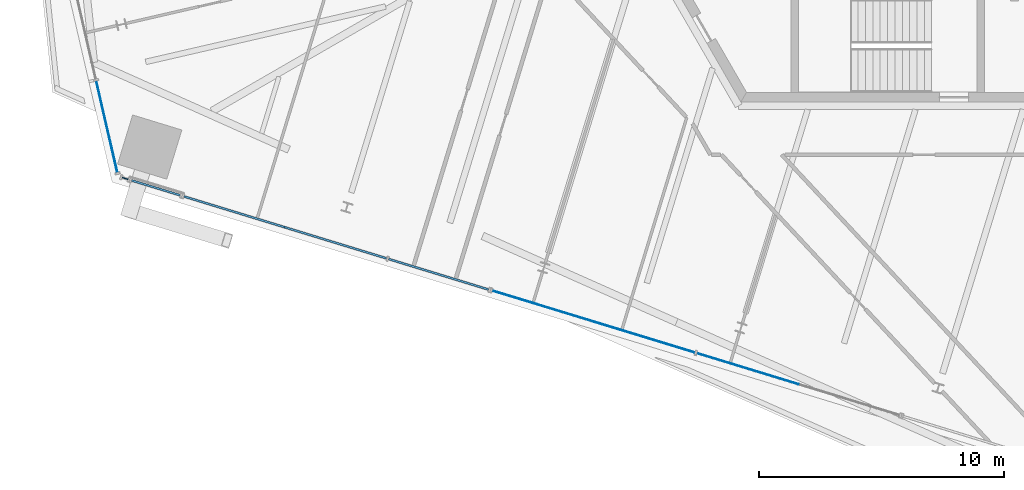
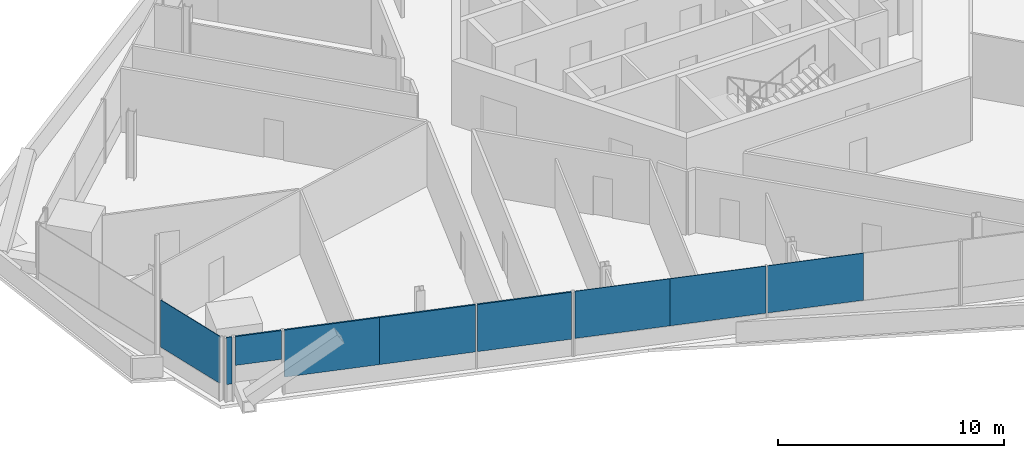
# One storey, part 13 of 25: 9 plates, 5 elements without a shape of their own.
"""IFC4 building model written with IfcOpenShell, lengths in metres."""

from ifc_helpers import new_model, si_unit, direction, frame, origin, origin_2d, place, context, subcontext, project, spatial, rectangle, extrude, source, transform, mapped, material, layer, layer_set, type_object, element, aggregate, save


model = new_model("IFC4")

# Units and contexts
model_context = context("Model", 3, precision=1e-05, world=origin(), true_north=direction((0.0, 1.0)))
body_context = subcontext(model_context, "Body", "Model", "MODEL_VIEW")
ifc_project = project(units=[si_unit("LENGTHUNIT", "METRE"), si_unit("AREAUNIT", "SQUARE_METRE"), si_unit("VOLUMEUNIT", "CUBIC_METRE"), si_unit("PLANEANGLEUNIT", "RADIAN"), si_unit("MASSUNIT", "GRAM", prefix="KILO")], contexts=[model_context])

# Site, building, storey
site_placement = place(None, origin())
site = spatial("IfcSite", under=ifc_project, at=site_placement, CompositionType="ELEMENT")
building_placement = place(site_placement, origin())
building = spatial("IfcBuilding", under=site, at=building_placement, Name="Triune Harvest Tower", CompositionType="ELEMENT")
storey_placement = place(building_placement, frame((0.0, 0.0, 98.300048828125)))
storey = spatial("IfcBuildingStorey", under=building, at=storey_placement, Name="L24", CompositionType="ELEMENT", Elevation=98.300048828125)

# Curtain wall, plates
ifc_material_1 = material(Name="Aluminium bronze anodised", Category="aluminium")
curtain_wall_type_1 = type_object("IfcCurtainWallType", Name="CW-7 Tower stick curtain wall with insulated spandrel infill", PredefinedType="NOTDEFINED", material=ifc_material_1)
curtain_wall_1_placement = place(storey_placement, origin())
curtain_wall_1 = element("IfcCurtainWall", 1, at=curtain_wall_1_placement, inside=storey, type_object=curtain_wall_type_1, Name="CW-7 B3-F5 L24 run 201")
ifc_material_2 = material(Name="Insulated spandrel panel, bronze aluminium pan", Category="aluminium")
ifc_layer_1 = layer(ifc_material_2, 0.080078125)
ifc_layer_set_1 = layer_set([ifc_layer_1], Name="Insulated spandrel panel, bronze aluminium pan")
plate_type_1 = type_object("IfcPlateType", Name="SP-1 insulated spandrel panel 80", PredefinedType="CURTAIN_PANEL", material=ifc_layer_set_1)
shared_shape_1 = source(origin(), body_context, "Body", "SweptSolid", [
    extrude(rectangle(XDim=4.311767578125, YDim=0.080078125, at=origin_2d()), origin(), (0.0, 0.0, 1.0), 2.5400390625),
])
plate_1_placement = place(storey_placement, frame((-26.6796875, -14.87353515625, 0.89990234375), z_axis=(0.0, 0.0, 1.0), x_axis=(0.956305018244, -0.292370846839, 0.0)))
plate_1 = element("IfcPlate", 2, at=plate_1_placement, type_object=plate_type_1, Name="CW-7 panel B3-F5 201.1", PredefinedType="CURTAIN_PANEL", context=body_context, shape_type="MappedRepresentation", body=[
    mapped(shared_shape_1, transform((0.0, 0.0, 0.0), scale=1.0)),
])
shared_shape_2 = source(origin(), body_context, "Body", "SweptSolid", [
    extrude(rectangle(XDim=4.349365234375, YDim=0.080078125, at=origin_2d()), origin(), (0.0, 0.0, 1.0), 2.5400390625),
])
plate_2_placement = place(storey_placement, frame((-22.538330078125, -16.1396484375, 0.89990234375), z_axis=(0.0, 0.0, 1.0), x_axis=(0.956305018244, -0.292370846839, 0.0)))
plate_2 = element("IfcPlate", 3, at=plate_2_placement, type_object=plate_type_1, Name="CW-7 panel B3-F5 201.2", PredefinedType="CURTAIN_PANEL", context=body_context, shape_type="MappedRepresentation", body=[
    mapped(shared_shape_2, transform((0.0, 0.0, 0.0), scale=1.0)),
])

ifc_material_3 = material(Name="Aluminium bronze anodised", Category="aluminium")
curtain_wall_type_2 = type_object("IfcCurtainWallType", Name="CW-1 Tower stick curtain wall", PredefinedType="NOTDEFINED", material=ifc_material_3)
curtain_wall_2_placement = place(storey_placement, origin())
curtain_wall_2 = element("IfcCurtainWall", 4, at=curtain_wall_2_placement, inside=storey, type_object=curtain_wall_type_2, Name="CW-1 B3-F5 L24 run 1201")
ifc_material_4 = material(Name="Glass", Category="glass")
ifc_layer_2 = layer(ifc_material_4, 0.031982421875)
ifc_layer_set_2 = layer_set([ifc_layer_2], Name="Glass")
plate_type_2 = type_object("IfcPlateType", Name="GL-1 panel 32", PredefinedType="CURTAIN_PANEL", material=ifc_layer_set_2)
shared_shape_3 = source(origin(), body_context, "Body", "SweptSolid", [
    extrude(rectangle(XDim=4.311767578125, YDim=0.031982421875, at=origin_2d()), origin(), (0.0, 0.0, 1.0), 2.5400390625),
])
plate_3_placement = place(storey_placement, frame((-14.094482421875, -18.721435546875, 0.89990234375), z_axis=(0.0, 0.0, 1.0), x_axis=(0.956302406514, -0.292379389313, 0.0)))
plate_3 = element("IfcPlate", 5, at=plate_3_placement, type_object=plate_type_2, Name="CW-1 panel B3-F5 1201.1", PredefinedType="CURTAIN_PANEL", context=body_context, shape_type="MappedRepresentation", body=[
    mapped(shared_shape_3, transform((0.0, 0.0, 0.0), scale=1.0)),
])
shared_shape_4 = source(origin(), body_context, "Body", "SweptSolid", [
    extrude(rectangle(XDim=4.349365234375, YDim=0.031982421875, at=origin_2d()), origin(), (0.0, 0.0, 1.0), 2.5400390625),
])
plate_4_placement = place(storey_placement, frame((-9.953125, -19.987548828125, 0.89990234375), z_axis=(0.0, 0.0, 1.0), x_axis=(0.956302406514, -0.292379389313, 0.0)))
plate_4 = element("IfcPlate", 6, at=plate_4_placement, type_object=plate_type_2, Name="CW-1 panel B3-F5 1201.2", PredefinedType="CURTAIN_PANEL", context=body_context, shape_type="MappedRepresentation", body=[
    mapped(shared_shape_4, transform((0.0, 0.0, 0.0), scale=1.0)),
])
plate_5_placement = place(storey_placement, frame((-5.72216796875, -21.281005859375, 0.89990234375), z_axis=(0.0, 0.0, 1.0), x_axis=(0.956302406514, -0.292379389313, 0.0)))
plate_5 = element("IfcPlate", 7, at=plate_5_placement, type_object=plate_type_2, Name="CW-1 panel B3-F5 1201.3", PredefinedType="CURTAIN_PANEL", context=body_context, shape_type="MappedRepresentation", body=[
    mapped(shared_shape_4, transform((0.0, 0.0, 0.0), scale=1.0)),
])
aggregate(curtain_wall_2, [plate_3, plate_4, plate_5])

# Plate
shared_shape_5 = source(origin(), body_context, "Body", "SweptSolid", [
    extrude(rectangle(XDim=4.274169921875, YDim=0.080078125, at=origin_2d()), origin(), (0.0, 0.0, 1.0), 2.5400390625),
])
plate_6_placement = place(storey_placement, frame((-18.34326171875, -17.42236328125, 0.89990234375), z_axis=(0.0, 0.0, 1.0), x_axis=(0.956305018244, -0.292370846839, 0.0)))
plate_6 = element("IfcPlate", 8, at=plate_6_placement, type_object=plate_type_1, Name="CW-7 panel B3-F5 201.3", PredefinedType="CURTAIN_PANEL", context=body_context, shape_type="MappedRepresentation", body=[
    mapped(shared_shape_5, transform((0.0, 0.0, 0.0), scale=1.0)),
])

aggregate(curtain_wall_1, [plate_1, plate_2, plate_6])

# Curtain wall, plate
curtain_wall_3_placement = place(storey_placement, origin())
curtain_wall_3 = element("IfcCurtainWall", 9, at=curtain_wall_3_placement, inside=storey, type_object=curtain_wall_type_1, Name="CW-7 B3-F5 L24 run 101")
shared_shape_6 = source(origin(), body_context, "Body", "SweptSolid", [
    extrude(rectangle(XDim=2.082275390625, YDim=0.080078125, at=origin_2d()), origin(), (0.0, 0.0, 1.0), 1.554931640625),
])
plate_7_placement = place(storey_placement, frame((-29.88037109375, -13.89501953125, 1.884765625), z_axis=(0.0, 0.0, 1.0), x_axis=(0.95631017753, -0.292353970989, 0.0)))
plate_7 = element("IfcPlate", 10, at=plate_7_placement, type_object=plate_type_1, Name="CW-7 panel B3-F5 101.1", PredefinedType="CURTAIN_PANEL", context=body_context, shape_type="MappedRepresentation", body=[
    mapped(shared_shape_6, transform((0.0, 0.0, 0.0), scale=1.0)),
])
aggregate(curtain_wall_3, [plate_7])

curtain_wall_4_placement = place(storey_placement, origin())
curtain_wall_4 = element("IfcCurtainWall", 11, at=curtain_wall_4_placement, inside=storey, type_object=curtain_wall_type_2, Name="CW-1 B3-F5 L24 run 1")
shared_shape_7 = source(origin(), body_context, "Body", "SweptSolid", [
    extrude(rectangle(XDim=0.251708984375, YDim=0.031982421875, at=origin_2d()), origin(), (0.0, 0.0, 1.0), 2.5400390625),
])
plate_8_placement = place(storey_placement, frame((-31.139892578125, -13.510009765625, 0.89990234375), z_axis=(0.0, 0.0, 1.0), x_axis=(0.956278117665, -0.292458820477, 0.0)))
plate_8 = element("IfcPlate", 12, at=plate_8_placement, type_object=plate_type_2, Name="CW-1 panel B3-F5 1.1", PredefinedType="CURTAIN_PANEL", context=body_context, shape_type="MappedRepresentation", body=[
    mapped(shared_shape_7, transform((0.0, 0.0, 0.0), scale=1.0)),
])
aggregate(curtain_wall_4, [plate_8])

curtain_wall_5_placement = place(storey_placement, origin())
curtain_wall_5 = element("IfcCurtainWall", 13, at=curtain_wall_5_placement, inside=storey, type_object=curtain_wall_type_2, Name="CW-1 B3-F4 L24 run 1")
shared_shape_8 = source(origin(), body_context, "Body", "SweptSolid", [
    extrude(rectangle(XDim=3.83642578125, YDim=0.031982421875, at=origin_2d()), origin(), (0.0, 0.0, 1.0), 2.5400390625),
])
plate_9_placement = place(storey_placement, frame((-31.88671875, -11.395263671875, 0.89990234375), z_axis=(0.0, 0.0, 1.0), x_axis=(0.224946950683, -0.974371012181, 0.0)))
plate_9 = element("IfcPlate", 14, at=plate_9_placement, type_object=plate_type_2, Name="CW-1 panel B3-F4 1.3", PredefinedType="CURTAIN_PANEL", context=body_context, shape_type="MappedRepresentation", body=[
    mapped(shared_shape_8, transform((0.0, 0.0, 0.0), scale=1.0)),
])
aggregate(curtain_wall_5, [plate_9])

save(model, "model.ifc")
